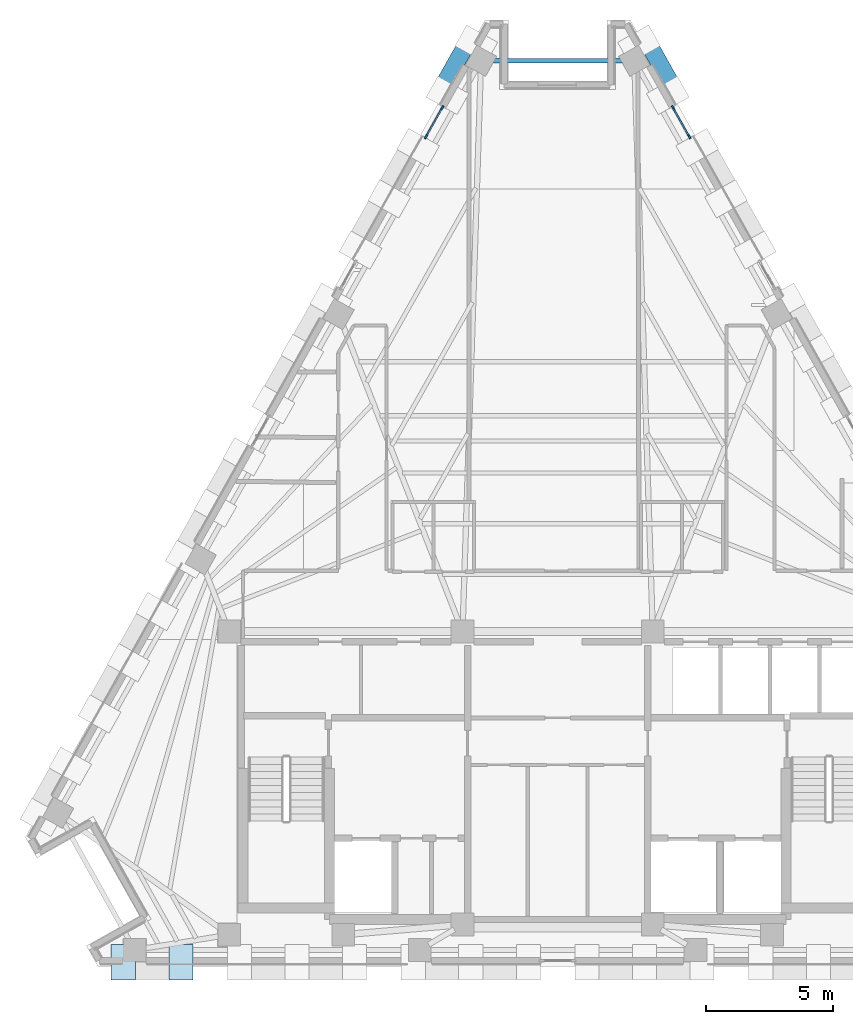
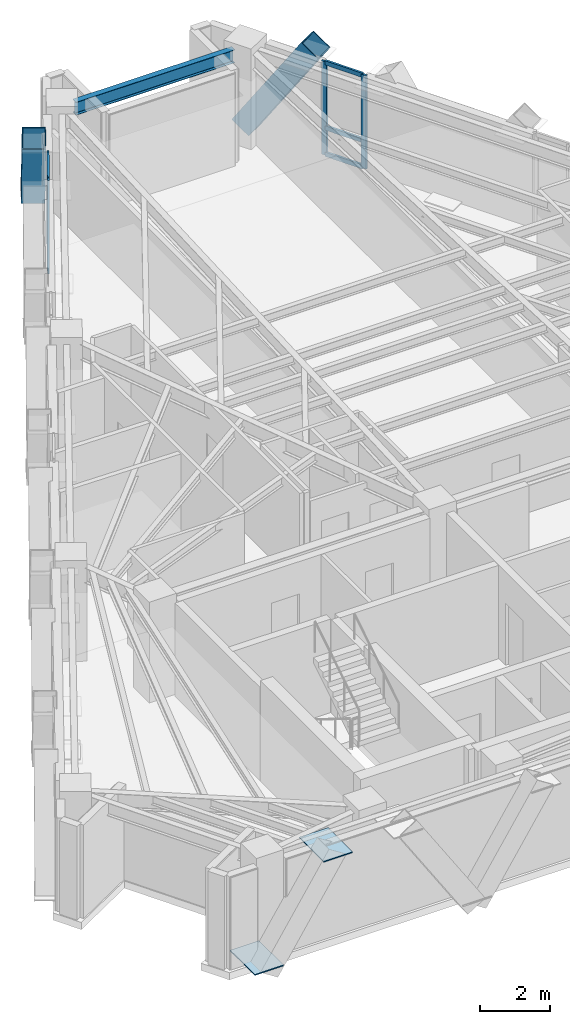
# One storey, part 5 of 12: 12 members, 2 plates, 1 beam, 2 elements without a shape of their own.
"""IFC4 building model written with IfcOpenShell, lengths in metres."""

from ifc_helpers import new_model, si_unit, direction, frame, origin, origin_2d, place, context, subcontext, project, spatial, rectangle, hollow_rectangle, i_section, extrude, material, layer, layer_set, material_profile, profile_set, type_object, element, aggregate, save


model = new_model("IFC4")

# Units and contexts
model_context = context("Model", 3, precision=1e-05, world=origin(), true_north=direction((0.0, 1.0)))
body_context = subcontext(model_context, "Body", "Model", "MODEL_VIEW")
ifc_project = project(units=[si_unit("LENGTHUNIT", "METRE"), si_unit("AREAUNIT", "SQUARE_METRE"), si_unit("VOLUMEUNIT", "CUBIC_METRE"), si_unit("PLANEANGLEUNIT", "RADIAN"), si_unit("MASSUNIT", "GRAM", prefix="KILO")], contexts=[model_context])

# Site, building, storey
site_placement = place(None, origin())
site = spatial("IfcSite", under=ifc_project, at=site_placement, CompositionType="ELEMENT")
building_placement = place(site_placement, origin())
building = spatial("IfcBuilding", under=site, at=building_placement, Name="Quenlor Broadcast Tower", CompositionType="ELEMENT")
storey_placement = place(building_placement, frame((0.0, 0.0, 200.89990234375)))
storey = spatial("IfcBuildingStorey", under=building, at=storey_placement, Name="L55", CompositionType="ELEMENT", Elevation=200.89990234375)

# Curtain wall, members
ifc_material_1 = material(Name="Architectural Terracotta and Low-E Glazing", Category="masonry")
curtain_wall_type = type_object("IfcCurtainWallType", Name="Unitised Terracotta Curtain Wall System Z4", PredefinedType="NOTDEFINED", material=ifc_material_1)
curtain_wall_1_placement = place(storey_placement, origin())
curtain_wall_1 = element("IfcCurtainWall", 1, at=curtain_wall_1_placement, inside=storey, type_object=curtain_wall_type, Name="L55 Curtain Wall CW4 (L55-NEA-G1)", PredefinedType="NOTDEFINED")
ifc_material_2 = material(Name="Aluminium 6063-T6", Category="aluminium")
ifc_material_profile_1 = material_profile(ifc_material_2, rectangle(XDim=0.068115234375, YDim=0.179931640625, at=origin_2d()))
ifc_profile_set_1 = profile_set([ifc_material_profile_1], Name="Aluminium 6063-T6 MULL68x180")
member_type_1 = type_object("IfcMemberType", Name="CW4 Aluminium Mullion MULL_CW4", PredefinedType="MULLION", material=ifc_profile_set_1)
member_1_placement = place(storey_placement, frame((4.550048828125, 15.85205078125, 0.0), z_axis=(0.0, 0.0, 1.0), x_axis=(0.871560008943, 0.490288844266, 0.0)))
member_1 = element("IfcMember", 2, at=member_1_placement, type_object=member_type_1, Name="CW4 mullion 1", PredefinedType="MULLION", context=body_context, shape_type="SweptSolid", body=[
    extrude(rectangle(XDim=0.068115234375, YDim=0.179931640625, at=origin_2d()), origin(), (0.0, 0.0, 1.0), 3.25),
])
member_2_placement = place(storey_placement, frame((5.19140625, 14.7119140625, 0.0), z_axis=(0.0, 0.0, 1.0), x_axis=(0.871560008943, 0.490288844266, 0.0)))
member_2 = element("IfcMember", 3, at=member_2_placement, type_object=member_type_1, Name="CW4 mullion 2", PredefinedType="MULLION", context=body_context, shape_type="SweptSolid", body=[
    extrude(rectangle(XDim=0.068115234375, YDim=0.179931640625, at=origin_2d()), origin(), (0.0, 0.0, 1.0), 3.25),
])

curtain_wall_2_placement = place(storey_placement, origin())
curtain_wall_2 = element("IfcCurtainWall", 4, at=curtain_wall_2_placement, inside=storey, type_object=curtain_wall_type, Name="L55 Curtain Wall CW4 (L55-NWC-G2)", PredefinedType="NOTDEFINED")
member_3_placement = place(storey_placement, frame((-5.19140625, 14.7119140625, 0.0), z_axis=(0.0, 0.0, 1.0), x_axis=(-0.871560008943, 0.490288844266, 0.0)))
member_3 = element("IfcMember", 5, at=member_3_placement, type_object=member_type_1, Name="CW4 mullion 1", PredefinedType="MULLION", context=body_context, shape_type="SweptSolid", body=[
    extrude(rectangle(XDim=0.068115234375, YDim=0.179931640625, at=origin_2d()), origin(), (0.0, 0.0, 1.0), 3.25),
])
member_4_placement = place(storey_placement, frame((-4.550048828125, 15.85205078125, 0.0), z_axis=(0.0, 0.0, 1.0), x_axis=(-0.871560008943, 0.490288844266, 0.0)))
member_4 = element("IfcMember", 6, at=member_4_placement, type_object=member_type_1, Name="CW4 mullion 2", PredefinedType="MULLION", context=body_context, shape_type="SweptSolid", body=[
    extrude(rectangle(XDim=0.068115234375, YDim=0.179931640625, at=origin_2d()), origin(), (0.0, 0.0, 1.0), 3.25),
])

# Member
ifc_material_3 = material(Name="Aluminium 6063-T6", Category="aluminium")
ifc_material_profile_2 = material_profile(ifc_material_3, rectangle(XDim=0.068115234375, YDim=0.14990234375, at=origin_2d()))
ifc_profile_set_2 = profile_set([ifc_material_profile_2], Name="Aluminium 6063-T6 TRAN68x150")
member_type_2 = type_object("IfcMemberType", Name="CW4 Aluminium Transom TRAN_CW4", PredefinedType="USERDEFINED", material=ifc_profile_set_2)
member_5_placement = place(storey_placement, frame((4.566650390625, 15.822265625, 0.0341796875), z_axis=(0.490317332982, -0.871543982239, 0.0), x_axis=(0.871543982239, 0.490317332982, 0.0)))
member_5 = element("IfcMember", 7, at=member_5_placement, type_object=member_type_2, Name="CW4 transom 1.1", ObjectType="TRANSOM", PredefinedType="USERDEFINED", context=body_context, shape_type="SweptSolid", body=[
    extrude(rectangle(XDim=0.068115234375, YDim=0.14990234375, at=origin_2d()), origin(), (0.0, 0.0, 1.0), 1.23974609375),
])

member_6_placement = place(storey_placement, frame((4.566650390625, 15.822265625, 0.9501953125), z_axis=(0.490317332982, -0.871543982239, 0.0), x_axis=(0.871543982239, 0.490317332982, 0.0)))
member_6 = element("IfcMember", 8, at=member_6_placement, type_object=member_type_2, Name="CW4 transom 1.2", ObjectType="TRANSOM", PredefinedType="USERDEFINED", context=body_context, shape_type="SweptSolid", body=[
    extrude(rectangle(XDim=0.068115234375, YDim=0.14990234375, at=origin_2d()), origin(), (0.0, 0.0, 1.0), 1.23974609375),
])

member_7_placement = place(storey_placement, frame((4.566650390625, 15.822265625, 3.216064453125), z_axis=(0.490317332982, -0.871543982239, 0.0), x_axis=(0.871543982239, 0.490317332982, 0.0)))
member_7 = element("IfcMember", 9, at=member_7_placement, type_object=member_type_2, Name="CW4 transom 1.3", ObjectType="TRANSOM", PredefinedType="USERDEFINED", context=body_context, shape_type="SweptSolid", body=[
    extrude(rectangle(XDim=0.068115234375, YDim=0.14990234375, at=origin_2d()), origin(), (0.0, 0.0, 1.0), 1.23974609375),
])

aggregate(curtain_wall_1, [member_1, member_2, member_5, member_6, member_7])

member_8_placement = place(storey_placement, frame((-5.174560546875, 14.74169921875, 0.0341796875), z_axis=(0.490317332982, 0.871543982239, 0.0), x_axis=(-0.871543982239, 0.490317332982, 0.0)))
member_8 = element("IfcMember", 10, at=member_8_placement, type_object=member_type_2, Name="CW4 transom 1.1", ObjectType="TRANSOM", PredefinedType="USERDEFINED", context=body_context, shape_type="SweptSolid", body=[
    extrude(rectangle(XDim=0.068115234375, YDim=0.14990234375, at=origin_2d()), origin(), (0.0, 0.0, 1.0), 1.23974609375),
])

member_9_placement = place(storey_placement, frame((-5.174560546875, 14.74169921875, 0.9501953125), z_axis=(0.490317332982, 0.871543982239, 0.0), x_axis=(-0.871543982239, 0.490317332982, 0.0)))
member_9 = element("IfcMember", 11, at=member_9_placement, type_object=member_type_2, Name="CW4 transom 1.2", ObjectType="TRANSOM", PredefinedType="USERDEFINED", context=body_context, shape_type="SweptSolid", body=[
    extrude(rectangle(XDim=0.068115234375, YDim=0.14990234375, at=origin_2d()), origin(), (0.0, 0.0, 1.0), 1.23974609375),
])

member_10_placement = place(storey_placement, frame((-5.174560546875, 14.74169921875, 3.216064453125), z_axis=(0.490317332982, 0.871543982239, 0.0), x_axis=(-0.871543982239, 0.490317332982, 0.0)))
member_10 = element("IfcMember", 12, at=member_10_placement, type_object=member_type_2, Name="CW4 transom 1.3", ObjectType="TRANSOM", PredefinedType="USERDEFINED", context=body_context, shape_type="SweptSolid", body=[
    extrude(rectangle(XDim=0.068115234375, YDim=0.14990234375, at=origin_2d()), origin(), (0.0, 0.0, 1.0), 1.23974609375),
])

aggregate(curtain_wall_2, [member_3, member_4, member_8, member_9, member_10])

# Members
ifc_material_4 = material(Name="Steel S355", Category="steel")
ifc_material_profile_3 = material_profile(ifc_material_4, hollow_rectangle(XDim=0.679931640625, YDim=0.679931640625, WallThickness=0.02490234375, at=origin_2d()))
ifc_profile_set_3 = profile_set([ifc_material_profile_3], Name="Steel S355 RHS680x680x25")
member_type_3 = type_object("IfcMemberType", Name="Perimeter Diagonal Lattice Brace Z3-Z4 Steel S355 RHS680x25", PredefinedType="BRACE", material=ifc_profile_set_3)
for number, where, z_axis, x_axis, name in (
    (13, (3.50732421875, 18.51171875, -0.119873046875), (0.269539530269, -0.479181387144, 0.835304519224), (0.871575537125, 0.490261239633, 0.0), "L55 Perimeter Diamond Lattice NE-C1S"),
    (14, (-3.50732421875, 18.51171875, -0.119873046875), (-0.269539530269, -0.479181387144, 0.835304519224), (0.871575537125, -0.490261239633, 0.0), "L55 Perimeter Diamond Lattice NW-C5B"),
):
    element("IfcMember", number, at=place(storey_placement, frame(where, z_axis=z_axis, x_axis=x_axis)), inside=storey, type_object=member_type_3, Name=name, PredefinedType="BRACE", context=body_context, shape_type="SweptSolid", body=[
        extrude(hollow_rectangle(XDim=0.679931640625, YDim=0.679931640625, WallThickness=0.02490234375, at=origin_2d()), origin(), (0.0, 0.0, 1.0), 4.190185546875),
    ])

# Beam
ifc_material_5 = material(Name="Steel S355", Category="steel")
ifc_material_profile_4 = material_profile(ifc_material_5, i_section(OverallWidth=0.18994140625, OverallDepth=0.453857421875, WebThickness=0.008544921875, FlangeThickness=0.0126953125, FilletRadius=0.011474609375, at=origin_2d()))
ifc_profile_set_4 = profile_set([ifc_material_profile_4], Name="Steel S355 460UB67.1")
beam_type = type_object("IfcBeamType", Name="Perimeter Spandrel Beam Z4 Steel S355 460UB67.1", PredefinedType="SPANDREL", material=ifc_profile_set_4)
beam_placement = place(storey_placement, frame((2.610595703125, 17.704345703125, 3.023193359375), z_axis=(-1.0, 0.0, 0.0), x_axis=(0.0, -1.0, 0.0)))
element("IfcBeam", 15, at=beam_placement, inside=storey, type_object=beam_type, Name="L55 Spandrel Beam NE4-NW1", PredefinedType="SPANDREL", context=body_context, shape_type="SweptSolid", body=[
    extrude(i_section(OverallWidth=0.18994140625, OverallDepth=0.453857421875, WebThickness=0.008544921875, FlangeThickness=0.0126953125, FilletRadius=0.011474609375, at=origin_2d()), origin(), (0.0, 0.0, 1.0), 5.22119140625),
])

# Plates
ifc_material_6 = material(Name="Steel S355", Category="steel")
ifc_layer = layer(ifc_material_6, 0.035888671875)
ifc_layer_set = layer_set([ifc_layer], Name="Transfer Truss Steel S355 Gusset Node Plate 1400x950x36")
plate_type = type_object("IfcPlateType", Name="Transfer Truss Steel S355 Gusset Node Plate 1400x950x36", PredefinedType="SHEET", material=ifc_layer_set)
for number, where, z_axis, x_axis, name in (
    (16, (-17.1259765625, -17.8349609375, 0.0419921875), (0.0, 0.0, 1.0), (0.0, -1.0, 0.0), "L55 Lattice Tie Gusset Node S-B15"),
    (17, (-14.856201171875, -17.8349609375, 3.18212890625), (0.0, 0.0, 1.0), (0.0, -1.0, 0.0), "L55 Lattice Tie Gusset Node S-T14"),
):
    element("IfcPlate", number, at=place(storey_placement, frame(where, z_axis=z_axis, x_axis=x_axis)), inside=storey, type_object=plate_type, Name=name, PredefinedType="SHEET", context=body_context, shape_type="SweptSolid", body=[
        extrude(rectangle(XDim=1.39990234375, YDim=0.949951171875, at=origin_2d()), origin(), (0.0, 0.0, 1.0), 0.035888671875),
    ])

save(model, "model.ifc")
